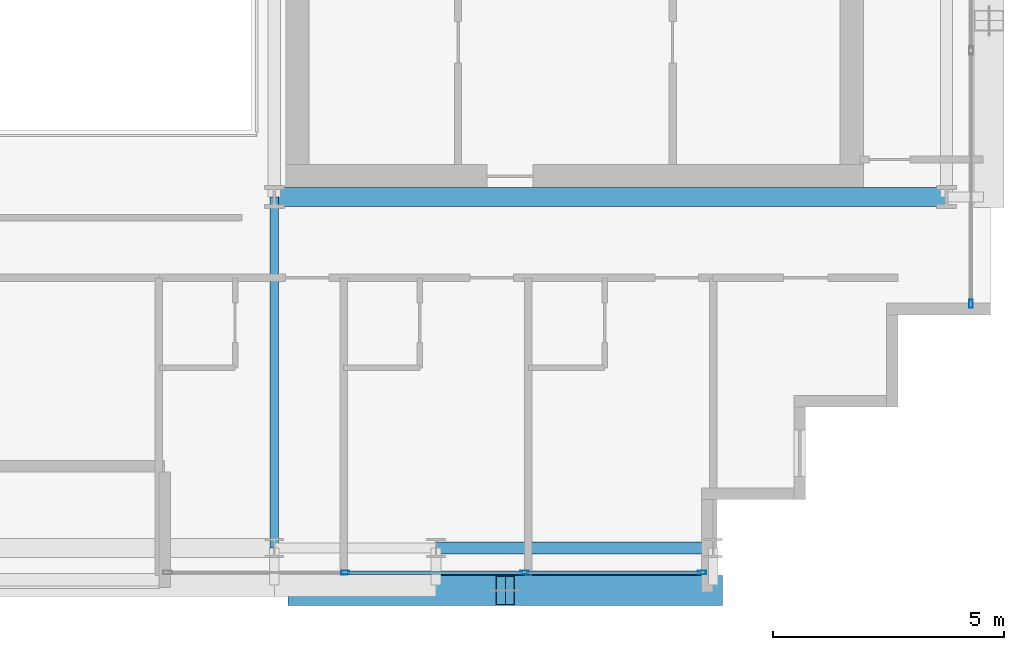
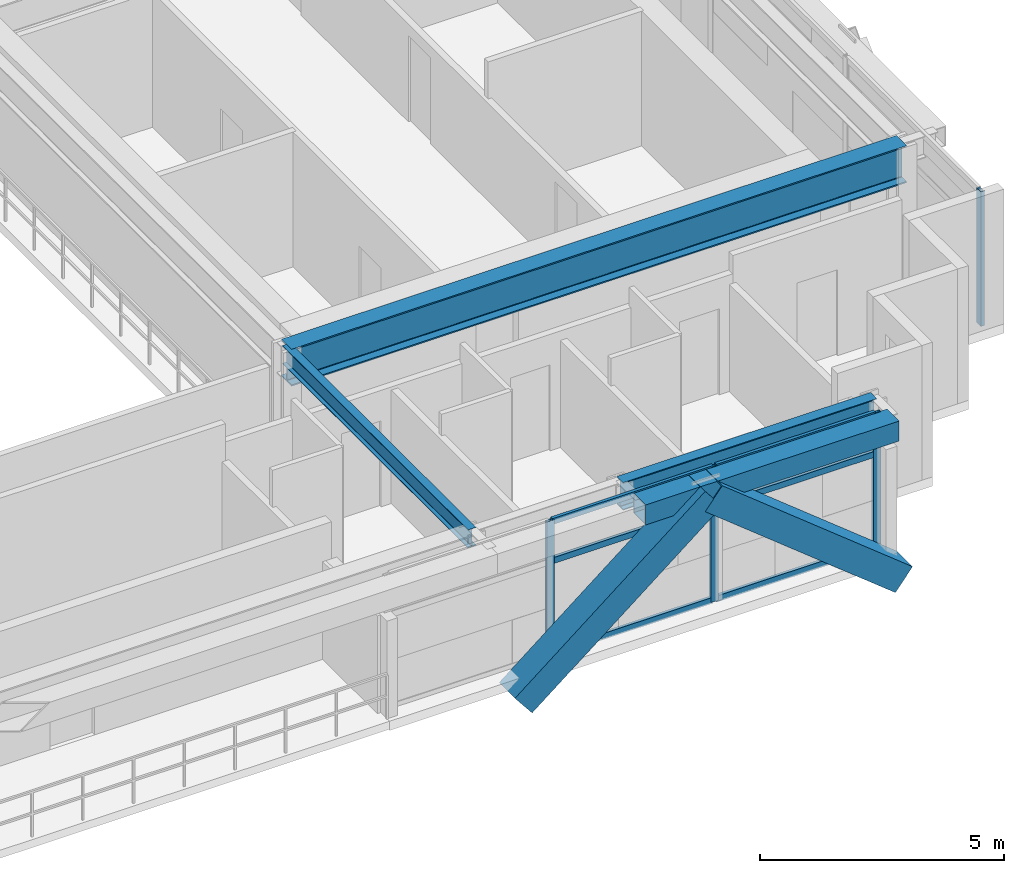
# One storey, part 10 of 32: 12 members, 4 beams, 2 elements without a shape of their own.
"""IFC4 building model written with IfcOpenShell, lengths in metres."""

from ifc_helpers import new_model, si_unit, direction, frame, origin, origin_2d, place, context, subcontext, project, spatial, hollow_rectangle, i_section, extrude, source, transform, mapped, material, layer, layer_set, material_profile, profile_set, type_object, element, aggregate, save


model = new_model("IFC4")

# Units and contexts
model_context = context("Model", 3, precision=1e-05, world=origin(), true_north=direction((0.0, 1.0)))
body_context = subcontext(model_context, "Body", "Model", "MODEL_VIEW")
ifc_project = project(units=[si_unit("LENGTHUNIT", "METRE"), si_unit("AREAUNIT", "SQUARE_METRE"), si_unit("VOLUMEUNIT", "CUBIC_METRE"), si_unit("PLANEANGLEUNIT", "RADIAN"), si_unit("MASSUNIT", "GRAM", prefix="KILO")], contexts=[model_context])

# Site, building, storey
site_placement = place(None, origin())
site = spatial("IfcSite", under=ifc_project, at=site_placement, CompositionType="ELEMENT")
building_placement = place(site_placement, origin())
building = spatial("IfcBuilding", under=site, at=building_placement, Name="Ocotamira Hotel", CompositionType="ELEMENT")
storey_placement = place(building_placement, frame((0.0, 0.0, 166.800048828125)))
storey = spatial("IfcBuildingStorey", under=building, at=storey_placement, Name="L41", CompositionType="ELEMENT", Elevation=166.800048828125)

# Beams
ifc_material_1 = material(Name="Steel ASTM A992 Grade 50", Category="steel")
ifc_material_profile_1 = material_profile(ifc_material_1, i_section(OverallWidth=0.41796875, OverallDepth=0.927001953125, WebThickness=0.019287109375, FlangeThickness=0.031982421875, FilletRadius=0.02392578125, at=origin_2d()), Name="W36X231")
ifc_profile_set_1 = profile_set([ifc_material_profile_1], Name="Steel ASTM A992 Grade 50")
beam_type_1 = type_object("IfcBeamType", Name="BM-GIRD-W36X231", PredefinedType="BEAM", material=ifc_profile_set_1)
shared_shape_1 = source(origin(), body_context, "Body", "SweptSolid", [
    extrude(i_section(OverallWidth=0.41796875, OverallDepth=0.927001953125, WebThickness=0.019287109375, FlangeThickness=0.031982421875, FilletRadius=0.02392578125, at=origin_2d()), origin(), (0.0, 0.0, 1.0), 14.550048828125),
])
beam_1_placement = place(storey_placement, frame((40.5, 14.550048828125, 2.906494140625), z_axis=(1.0, 0.0, 0.0), x_axis=(0.0, 1.0, 0.0)))
element("IfcBeam", 1, at=beam_1_placement, inside=storey, type_object=beam_type_1, Name="L41 Girder Y14.55 X40.5-55.05", PredefinedType="BEAM", context=body_context, shape_type="MappedRepresentation", body=[
    mapped(shared_shape_1, transform((0.0, 0.0, 0.0), scale=1.0)),
])
ifc_material_profile_2 = material_profile(ifc_material_1, i_section(OverallWidth=0.256103515625, OverallDepth=0.693115234375, WebThickness=0.014404296875, FlangeThickness=0.023681640625, FilletRadius=0.01611328125, at=origin_2d()), Name="W27X114")
ifc_profile_set_2 = profile_set([ifc_material_profile_2], Name="Steel ASTM A992 Grade 50")
beam_type_2 = type_object("IfcBeamType", Name="BM-PRIM-W27X114", PredefinedType="BEAM", material=ifc_profile_set_2)
shared_shape_2 = source(origin(), body_context, "Body", "SweptSolid", [
    extrude(i_section(OverallWidth=0.256103515625, OverallDepth=0.693115234375, WebThickness=0.014404296875, FlangeThickness=0.023681640625, FilletRadius=0.01611328125, at=origin_2d()), origin(), (0.0, 0.0, 1.0), 6.0),
])
beam_2_placement = place(storey_placement, frame((44.0, 6.949951171875, 3.0234375), z_axis=(1.0, 0.0, 0.0), x_axis=(0.0, 1.0, 0.0)))
element("IfcBeam", 2, at=beam_2_placement, inside=storey, type_object=beam_type_2, Name="L41 Girder Y6.95 X44-50", PredefinedType="BEAM", context=body_context, shape_type="MappedRepresentation", body=[
    mapped(shared_shape_2, transform((0.0, 0.0, 0.0), scale=1.0)),
])
ifc_material_2 = material(Name="Steel ASTM A500 Grade C", Category="steel")
ifc_material_profile_3 = material_profile(ifc_material_2, hollow_rectangle(XDim=0.5, YDim=0.5, WallThickness=0.02001953125, at=origin_2d()), Name="HSS500X500X20")
ifc_profile_set_3 = profile_set([ifc_material_profile_3], Name="Steel ASTM A500 Grade C")
beam_type_3 = type_object("IfcBeamType", Name="BM-SPAN-HSS500", PredefinedType="USERDEFINED", material=ifc_profile_set_3)
shared_shape_3 = source(origin(), body_context, "Body", "SweptSolid", [
    extrude(hollow_rectangle(XDim=0.5, YDim=0.5, WallThickness=0.02001953125, at=origin_2d()), origin(), (0.0, 0.0, 1.0), 6.0),
])
beam_3_placement = place(storey_placement, frame((44.0, 6.14990234375, 3.119873046875), z_axis=(1.0, 0.0, 0.0), x_axis=(0.0, 1.0, 0.0)))
element("IfcBeam", 3, at=beam_3_placement, inside=storey, type_object=beam_type_3, Name="L41 Edge Spandrel S X44-50", ObjectType="SPANDREL", PredefinedType="USERDEFINED", context=body_context, shape_type="MappedRepresentation", body=[
    mapped(shared_shape_3, transform((0.0, 0.0, 0.0), scale=1.0)),
])
ifc_material_profile_4 = material_profile(ifc_material_1, i_section(OverallWidth=0.18994140625, OverallDepth=0.45703125, WebThickness=0.009033203125, FlangeThickness=0.014404296875, FilletRadius=0.010009765625, at=origin_2d()), Name="W18X50")
ifc_profile_set_4 = profile_set([ifc_material_profile_4], Name="Steel ASTM A992 Grade 50")
beam_type_4 = type_object("IfcBeamType", Name="BM-SEC-W18X50", PredefinedType="JOIST", material=ifc_profile_set_4)
shared_shape_4 = source(origin(), body_context, "Body", "SweptSolid", [
    extrude(i_section(OverallWidth=0.18994140625, OverallDepth=0.45703125, WebThickness=0.009033203125, FlangeThickness=0.014404296875, FilletRadius=0.010009765625, at=origin_2d()), origin(), (0.0, 0.0, 1.0), 7.60009765625),
])
beam_4_placement = place(storey_placement, frame((40.5, 6.949951171875, 3.141357421875), z_axis=(0.0, 1.0, 0.0), x_axis=(-1.0, 0.0, 0.0)))
element("IfcBeam", 4, at=beam_4_placement, inside=storey, type_object=beam_type_4, Name="L41 Beam X40.5 Y6.95-14.55", PredefinedType="JOIST", context=body_context, shape_type="MappedRepresentation", body=[
    mapped(shared_shape_4, transform((0.0, 0.0, 0.0), scale=1.0)),
])

# Members
ifc_material_3 = material(Name="Pale-metal coated steel ASTM A913 Grade 65", Category="steel")
ifc_material_profile_5 = material_profile(ifc_material_3, hollow_rectangle(XDim=0.64990234375, YDim=0.64990234375, WallThickness=0.02197265625, at=origin_2d()), Name="BOX650X650X22")
ifc_profile_set_5 = profile_set([ifc_material_profile_5], Name="Pale-metal coated steel ASTM A913 Grade 65")
member_type_1 = type_object("IfcMemberType", Name="MEM-EXO-BOX650", PredefinedType="BRACE", material=ifc_profile_set_5)
shared_shape_5 = source(origin(), body_context, "Body", "SweptSolid", [
    extrude(hollow_rectangle(XDim=0.64990234375, YDim=0.64990234375, WallThickness=0.02197265625, at=origin_2d()), origin(), (0.0, 0.0, 1.0), 5.7626953125),
])
for number, where, z_axis, x_axis, name in (
    (5, (41.0, 6.030029296875, -0.47998046875), (0.780881208953, 0.0, 0.624679547852), (0.0, 1.0, 0.0), "L41 Exoskeleton Diagrid S3.1"),
    (6, (50.0, 6.030029296875, -0.47998046875), (-0.780881208953, 0.0, 0.624679547852), (0.0, -1.0, 0.0), "L41 Exoskeleton Diagrid S3.2"),
):
    element("IfcMember", number, at=place(storey_placement, frame(where, z_axis=z_axis, x_axis=x_axis)), inside=storey, type_object=member_type_1, Name=name, PredefinedType="BRACE", context=body_context, shape_type="MappedRepresentation", body=[
        mapped(shared_shape_5, transform((0.0, 0.0, 0.0), scale=1.0)),
    ])

# Curtain wall, members
ifc_material_4 = material(Name="Anodised pale-metal aluminium and solar glass", Category="aluminium")
ifc_layer = layer(ifc_material_4, 0.199951171875)
ifc_layer_set = layer_set([ifc_layer], Name="Anodised pale-metal aluminium and solar glass")
curtain_wall_type = type_object("IfcCurtainWallType", Name="CW-SYS4-Z3", PredefinedType="NOTDEFINED", material=ifc_layer_set)
curtain_wall_1_placement = place(storey_placement, origin())
curtain_wall_1 = element("IfcCurtainWall", 7, at=curtain_wall_1_placement, inside=storey, type_object=curtain_wall_type, Name="L41 Curtain Wall CW-4 CW-L41-S2", PredefinedType="NOTDEFINED")
ifc_material_5 = material(Name="Anodised pale-metal aluminium 6063-T6", Category="aluminium")
ifc_material_profile_6 = material_profile(ifc_material_5, hollow_rectangle(XDim=0.080078125, YDim=0.179931640625, WallThickness=0.006103515625, at=origin_2d()), Name="HSS180X80X6")
ifc_profile_set_6 = profile_set([ifc_material_profile_6], Name="Anodised pale-metal aluminium 6063-T6")
member_type_2 = type_object("IfcMemberType", Name="CWM-180X75", PredefinedType="MULLION", material=ifc_profile_set_6)
shared_shape_6 = source(origin(), body_context, "Body", "SweptSolid", [
    extrude(hollow_rectangle(XDim=0.080078125, YDim=0.179931640625, WallThickness=0.006103515625, at=origin_2d()), origin(), (0.0, 0.0, 1.0), 3.369873046875),
])
member_1_placement = place(storey_placement, frame((42.033447265625, 6.419921875, 0.0), z_axis=(0.0, 0.0, 1.0), x_axis=(0.0, 1.0, 0.0)))
member_1 = element("IfcMember", 8, at=member_1_placement, type_object=member_type_2, Name="CW-4 mullion 2", PredefinedType="MULLION", context=body_context, shape_type="MappedRepresentation", body=[
    mapped(shared_shape_6, transform((0.0, 0.0, 0.0), scale=1.0)),
])
member_2_placement = place(storey_placement, frame((45.916748046875, 6.419921875, 0.0), z_axis=(0.0, 0.0, 1.0), x_axis=(0.0, 1.0, 0.0)))
member_2 = element("IfcMember", 9, at=member_2_placement, type_object=member_type_2, Name="CW-4 mullion 3", PredefinedType="MULLION", context=body_context, shape_type="MappedRepresentation", body=[
    mapped(shared_shape_6, transform((0.0, 0.0, 0.0), scale=1.0)),
])
member_3_placement = place(storey_placement, frame((49.760009765625, 6.419921875, 0.0), z_axis=(0.0, 0.0, 1.0), x_axis=(0.0, 1.0, 0.0)))
member_3 = element("IfcMember", 10, at=member_3_placement, type_object=member_type_2, Name="CW-4 mullion 4", PredefinedType="MULLION", context=body_context, shape_type="MappedRepresentation", body=[
    mapped(shared_shape_6, transform((0.0, 0.0, 0.0), scale=1.0)),
])

# Curtain wall, member
curtain_wall_2_placement = place(storey_placement, origin())
curtain_wall_2 = element("IfcCurtainWall", 11, at=curtain_wall_2_placement, inside=storey, type_object=curtain_wall_type, Name="L41 Curtain Wall CW-4 CW-L41-E", PredefinedType="NOTDEFINED")
member_4_placement = place(storey_placement, frame((55.580078125, 12.239990234375, 0.0), z_axis=(0.0, 0.0, 1.0), x_axis=(-1.0, 0.0, 0.0)))
member_4 = element("IfcMember", 12, at=member_4_placement, type_object=member_type_2, Name="CW-4 mullion 1", PredefinedType="MULLION", context=body_context, shape_type="MappedRepresentation", body=[
    mapped(shared_shape_6, transform((0.0, 0.0, 0.0), scale=1.0)),
])
aggregate(curtain_wall_2, [member_4])

# Member
ifc_material_profile_7 = material_profile(ifc_material_5, hollow_rectangle(XDim=0.074951171875, YDim=0.14990234375, WallThickness=0.006103515625, at=origin_2d()), Name="HSS150X75X6")
ifc_profile_set_7 = profile_set([ifc_material_profile_7], Name="Anodised pale-metal aluminium 6063-T6")
member_type_3 = type_object("IfcMemberType", Name="CWT-150X75", PredefinedType="USERDEFINED", material=ifc_profile_set_7)
shared_shape_7 = source(origin(), body_context, "Body", "SweptSolid", [
    extrude(hollow_rectangle(XDim=0.074951171875, YDim=0.14990234375, WallThickness=0.006103515625, at=origin_2d()), origin(), (0.0, 0.0, 1.0), 3.76318359375),
])
member_5_placement = place(storey_placement, frame((45.956787109375, 6.419921875, 0.037353515625), z_axis=(1.0, 0.0, 0.0), x_axis=(0.0, 1.0, 0.0)))
member_5 = element("IfcMember", 13, at=member_5_placement, type_object=member_type_3, Name="CW-4 transom 3.1", ObjectType="TRANSOM", PredefinedType="USERDEFINED", context=body_context, shape_type="MappedRepresentation", body=[
    mapped(shared_shape_7, transform((0.0, 0.0, 0.0), scale=1.0)),
])

member_6_placement = place(storey_placement, frame((45.956787109375, 6.419921875, 2.349853515625), z_axis=(1.0, 0.0, 0.0), x_axis=(0.0, 1.0, 0.0)))
member_6 = element("IfcMember", 14, at=member_6_placement, type_object=member_type_3, Name="CW-4 transom 3.2", ObjectType="TRANSOM", PredefinedType="USERDEFINED", context=body_context, shape_type="MappedRepresentation", body=[
    mapped(shared_shape_7, transform((0.0, 0.0, 0.0), scale=1.0)),
])

member_7_placement = place(storey_placement, frame((45.956787109375, 6.419921875, 3.33251953125), z_axis=(1.0, 0.0, 0.0), x_axis=(0.0, 1.0, 0.0)))
member_7 = element("IfcMember", 15, at=member_7_placement, type_object=member_type_3, Name="CW-4 transom 3.3", ObjectType="TRANSOM", PredefinedType="USERDEFINED", context=body_context, shape_type="MappedRepresentation", body=[
    mapped(shared_shape_7, transform((0.0, 0.0, 0.0), scale=1.0)),
])

shared_shape_8 = source(origin(), body_context, "Body", "SweptSolid", [
    extrude(hollow_rectangle(XDim=0.074951171875, YDim=0.14990234375, WallThickness=0.006103515625, at=origin_2d()), origin(), (0.0, 0.0, 1.0), 3.803466796875),
])
member_8_placement = place(storey_placement, frame((42.0732421875, 6.419921875, 0.037353515625), z_axis=(1.0, 0.0, 0.0), x_axis=(0.0, 1.0, 0.0)))
member_8 = element("IfcMember", 16, at=member_8_placement, type_object=member_type_3, Name="CW-4 transom 2.1", ObjectType="TRANSOM", PredefinedType="USERDEFINED", context=body_context, shape_type="MappedRepresentation", body=[
    mapped(shared_shape_8, transform((0.0, 0.0, 0.0), scale=1.0)),
])

member_9_placement = place(storey_placement, frame((42.0732421875, 6.419921875, 2.349853515625), z_axis=(1.0, 0.0, 0.0), x_axis=(0.0, 1.0, 0.0)))
member_9 = element("IfcMember", 17, at=member_9_placement, type_object=member_type_3, Name="CW-4 transom 2.2", ObjectType="TRANSOM", PredefinedType="USERDEFINED", context=body_context, shape_type="MappedRepresentation", body=[
    mapped(shared_shape_8, transform((0.0, 0.0, 0.0), scale=1.0)),
])

member_10_placement = place(storey_placement, frame((42.0732421875, 6.419921875, 3.33251953125), z_axis=(1.0, 0.0, 0.0), x_axis=(0.0, 1.0, 0.0)))
member_10 = element("IfcMember", 18, at=member_10_placement, type_object=member_type_3, Name="CW-4 transom 2.3", ObjectType="TRANSOM", PredefinedType="USERDEFINED", context=body_context, shape_type="MappedRepresentation", body=[
    mapped(shared_shape_8, transform((0.0, 0.0, 0.0), scale=1.0)),
])

aggregate(curtain_wall_1, [member_1, member_2, member_3, member_8, member_9, member_10, member_5, member_6, member_7])

save(model, "model.ifc")
